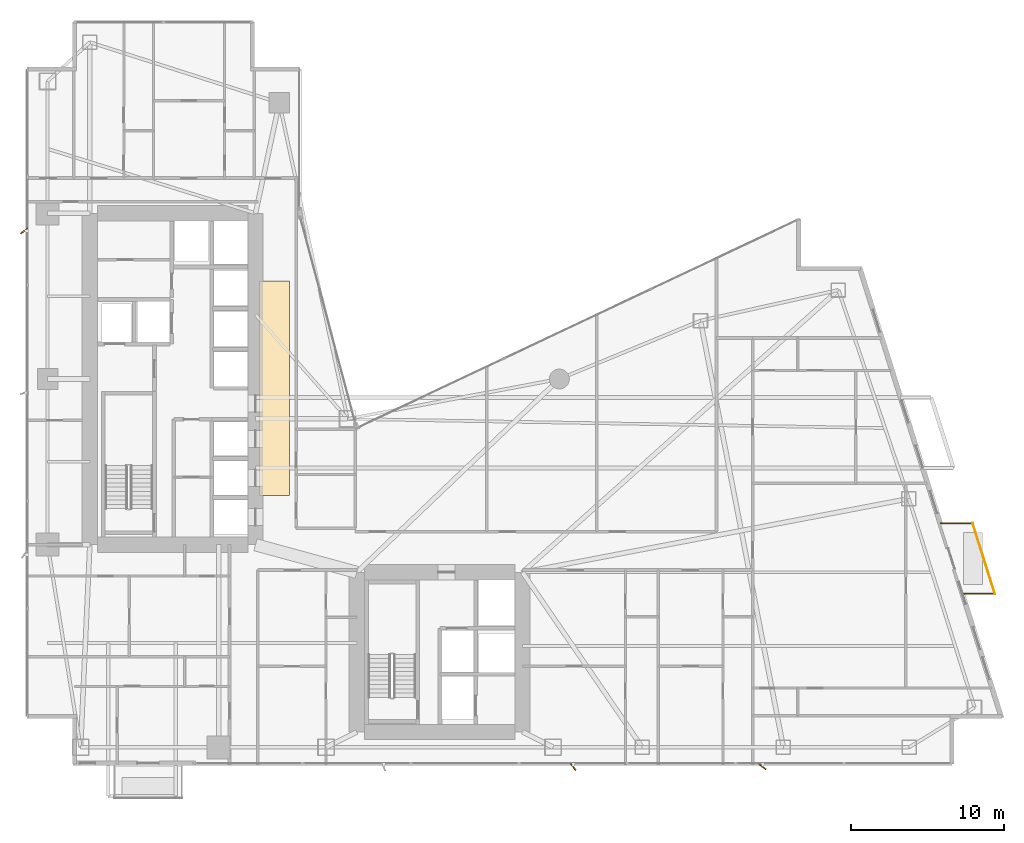
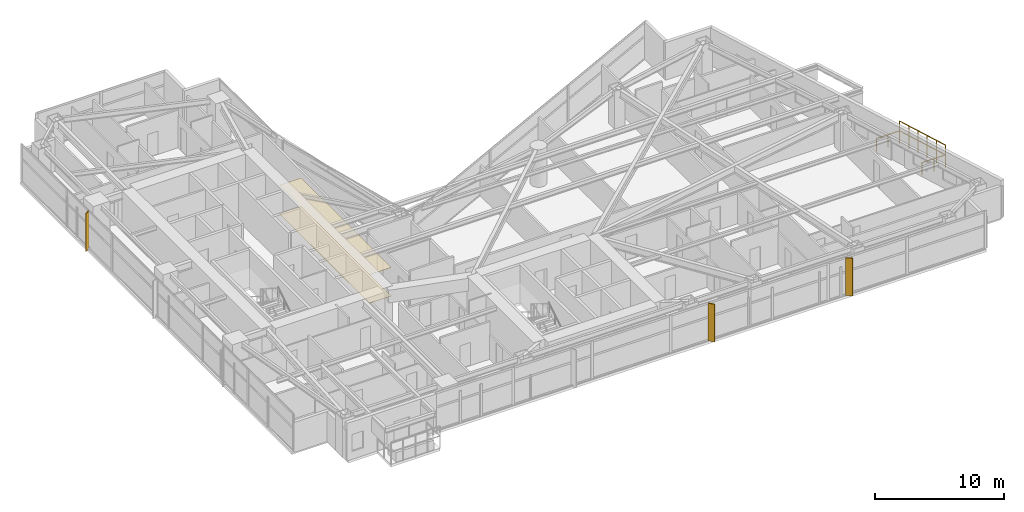
# One storey, part 29 of 29: 3 shading devices, 2 coverings, 2 railings.
"""IFC4 building model written with IfcOpenShell, lengths in metres."""

import ifcopenshell
import ifcopenshell.guid

model = None  # the IFC model being written
_history = None  # IfcOwnerHistory: only IFC2X3 demands one
_inside = {}  # id of a spatial element -> (the spatial element, [elements in it])
_under = {}  # id of a project, library or spatial element -> (it, [spatial elements below it])
_declared = {}  # id of a project -> (the project, [libraries it declares])
_typed = {}  # id of a type object -> (the type object, [elements of that type])
_made_of = {}  # id of a material, layer set ... -> (it, [elements and type objects made of it])


def new_model(schema):
    """Start an empty IFC model of exactly this schema.

    Asked for "IFC4X3", IfcOpenShell would pick the latest addendum, in which some entities
    have other attributes; the version numbers below select the first issue.
    IFC2X3 requires an IfcOwnerHistory on every rooted entity: one is made here for all.
    """
    global model, _history
    if schema == "IFC4X3":
        model = ifcopenshell.file(schema_version=(4, 3, 0, 0))
    else:
        model = ifcopenshell.file(schema=schema)
    _inside.clear()
    _under.clear()
    _declared.clear()
    _typed.clear()
    _made_of.clear()
    _history = None
    if model.schema == "IFC2X3":
        org = make("IfcOrganization", Name="unknown")
        user = make(
            "IfcPersonAndOrganization",
            ThePerson=make("IfcPerson", FamilyName="unknown"),
            TheOrganization=org,
        )
        app = make(
            "IfcApplication",
            ApplicationDeveloper=org,
            Version="unknown",
            ApplicationFullName="unknown",
            ApplicationIdentifier="unknown",
        )
        _history = make(
            "IfcOwnerHistory",
            OwningUser=user,
            OwningApplication=app,
            ChangeAction="ADDED",
            CreationDate=0,
        )
    return model


def make(cls, **values):
    """One entity of the class cls with the attributes given. An attribute that is None is left unset."""
    return model.create_entity(
        cls, **{name: value for name, value in values.items() if value is not None}
    )


def rooted(cls, **values):
    """An entity with a GlobalId (a new one), such as an element, a storey or a relation."""
    return make(cls, GlobalId=ifcopenshell.guid.new(), OwnerHistory=_history, **values)


def si_unit(unit_type, name, prefix=None):
    """IfcSIUnit, for example si_unit("LENGTHUNIT", "METRE", prefix="MILLI")."""
    return make("IfcSIUnit", UnitType=unit_type, Prefix=prefix, Name=name)


def assignment(units):
    """IfcUnitAssignment: the units of a project."""
    return None if units is None else make("IfcUnitAssignment", Units=units)


def point(xyz):
    """IfcCartesianPoint."""
    return None if xyz is None else make("IfcCartesianPoint", Coordinates=xyz)


def direction(xyz):
    """IfcDirection."""
    return None if xyz is None else make("IfcDirection", DirectionRatios=xyz)


def frame(location, z_axis=None, x_axis=None):
    """IfcAxis2Placement3D, a coordinate frame: its origin and axes. An axis left out is left unset."""
    return make(
        "IfcAxis2Placement3D",
        Location=point(location),
        Axis=direction(z_axis),
        RefDirection=direction(x_axis),
    )


def frame_2d(location, x_axis=None):
    """IfcAxis2Placement2D, a coordinate frame in the plane: its origin and x axis."""
    return make(
        "IfcAxis2Placement2D", Location=point(location), RefDirection=direction(x_axis)
    )


def origin():
    """The frame at (0, 0, 0) with its axes left unset."""
    return frame((0.0, 0.0, 0.0))


def origin_2d():
    """The frame at (0, 0) in the plane with its x axis left unset."""
    return frame_2d((0.0, 0.0))


def place(relative_to, where):
    """IfcLocalPlacement: puts the frame where relative to a parent placement (None: the world)."""
    return make(
        "IfcLocalPlacement", PlacementRelTo=relative_to, RelativePlacement=where
    )


def context(
    kind, dimensions, precision=None, world=None, true_north=None, identifier=None
):
    """IfcGeometricRepresentationContext, for example the 3D "Model" context."""
    return make(
        "IfcGeometricRepresentationContext",
        ContextIdentifier=identifier,
        ContextType=kind,
        CoordinateSpaceDimension=dimensions,
        Precision=precision,
        WorldCoordinateSystem=world,
        TrueNorth=true_north,
    )


def subcontext(parent, identifier, kind, view, scale=None):
    """IfcGeometricRepresentationSubContext, for example "Body" below "Model"."""
    return make(
        "IfcGeometricRepresentationSubContext",
        ContextIdentifier=identifier,
        ContextType=kind,
        ParentContext=parent,
        TargetScale=scale,
        TargetView=view,
    )


def project(units=None, contexts=None):
    """IfcProject with its units and contexts."""
    return rooted(
        "IfcProject",
        Name="project",
        RepresentationContexts=contexts,
        UnitsInContext=assignment(units),
    )


def spatial(cls, under=None, at=None, **own):
    """A site, building, storey or space (cls), placed at a placement, below another one or the project."""
    s = rooted(cls, ObjectPlacement=at, **own)
    if under is not None:
        _under.setdefault(under.id(), (under, []))[1].append(s)
    return s


def profile(cls, at=None, kind="AREA", **sizes):
    """A parametric profile (cls). Its sizes go by their IFC names, for example OverallWidth=200.0."""
    return make(cls, ProfileType=kind, Position=at, **sizes)


def rectangle(**sizes):
    """IfcRectangleProfileDef."""
    return profile("IfcRectangleProfileDef", **sizes)


def circle(**sizes):
    """IfcCircleProfileDef."""
    return profile("IfcCircleProfileDef", **sizes)


def extrude(swept, where, along, depth):
    """IfcExtrudedAreaSolid: the profile swept, set in the frame where, extruded along a direction by depth."""
    return make(
        "IfcExtrudedAreaSolid",
        SweptArea=swept,
        Position=where,
        ExtrudedDirection=direction(along),
        Depth=depth,
    )


def shape(context_of_items, identifier, shape_type, items):
    """IfcShapeRepresentation: the items that make up one representation, for example the "Body"."""
    return make(
        "IfcShapeRepresentation",
        ContextOfItems=context_of_items,
        RepresentationIdentifier=identifier,
        RepresentationType=shape_type,
        Items=items,
    )


def material(Name=None, Category=None):
    """IfcMaterial."""
    return make("IfcMaterial", Name=Name, Category=Category)


def layer(
    of_material, thickness, ventilated=None, Name=None, Category=None, Priority=None
):
    """IfcMaterialLayer: one layer of a wall or slab, of a material (None: an air gap)."""
    return make(
        "IfcMaterialLayer",
        Material=of_material,
        LayerThickness=thickness,
        IsVentilated=ventilated,
        Name=Name,
        Category=Category,
        Priority=Priority,
    )


def layer_set(layers, Name=None):
    """IfcMaterialLayerSet."""
    return make("IfcMaterialLayerSet", MaterialLayers=layers, LayerSetName=Name)


def made_of(thing, what):
    """Note that an element or type object is made of a material, layer set ...; save() writes the relation."""
    if what is not None:
        _made_of.setdefault(what.id(), (what, []))[1].append(thing)
    return thing


def type_object(cls, material=None, **own):
    """A type object (cls), such as IfcWallType, which elements share."""
    return made_of(rooted(cls, **own), material)


def element(
    cls,
    number,
    at=None,
    inside=None,
    cuts=None,
    type_object=None,
    material=None,
    context=None,
    identifier="Body",
    shape_type=None,
    held_by="IfcProductDefinitionShape",
    body=None,
    shapes=None,
    **own,
):
    """One element of the class cls, such as IfcWall. Its Tag is "e" and its number.

    at: its placement. inside: the storey or other place that contains it. cuts: it is an
    opening in that element (IfcRelVoidsElement). A single representation is given by context,
    identifier, shape_type and body (its items); several are given by shapes. held_by: the class
    of the entity that holds the representations. save() writes the other relations.
    """
    e = rooted(cls, Tag="e%d" % number, ObjectPlacement=at, **own)
    if body is not None:
        shapes = [shape(context, identifier, shape_type, body)]
    if shapes is not None:
        e.Representation = make(held_by, Representations=shapes)
    if inside is not None:
        _inside.setdefault(inside.id(), (inside, []))[1].append(e)
    if cuts is not None:
        rooted(
            "IfcRelVoidsElement", RelatingBuildingElement=cuts, RelatedOpeningElement=e
        )
    if type_object is not None:
        _typed.setdefault(type_object.id(), (type_object, []))[1].append(e)
    return made_of(e, material)


def aggregate(whole, parts):
    """IfcRelAggregates: a whole, such as a stair, and the parts it consists of."""
    return rooted("IfcRelAggregates", RelatingObject=whole, RelatedObjects=parts)


def save(model, path):
    """Write the relations noted so far, then the file.

    IfcRelAggregates (storeys below a building ...), IfcRelContainedInSpatialStructure (elements
    in a storey), IfcRelDefinesByType, IfcRelAssociatesMaterial and IfcRelDeclares: one each for
    every whole, place, type object, material and project.
    """
    for whole, parts in _under.values():
        aggregate(whole, parts)
    for where, things in _inside.values():
        rooted(
            "IfcRelContainedInSpatialStructure",
            RelatedElements=things,
            RelatingStructure=where,
        )
    for kind, things in _typed.values():
        rooted("IfcRelDefinesByType", RelatedObjects=things, RelatingType=kind)
    for what, things in _made_of.values():
        rooted("IfcRelAssociatesMaterial", RelatedObjects=things, RelatingMaterial=what)
    for by, libraries in _declared.values():
        rooted("IfcRelDeclares", RelatingContext=by, RelatedDefinitions=libraries)
    model.write(path)


model = new_model("IFC4")

# Units and contexts
model_context = context("Model", 3, precision=1e-05, world=origin(), true_north=direction((0.0, 1.0)))
body_context = subcontext(model_context, "Body", "Model", "MODEL_VIEW")
ifc_project = project(units=[si_unit("LENGTHUNIT", "METRE"), si_unit("AREAUNIT", "SQUARE_METRE"), si_unit("VOLUMEUNIT", "CUBIC_METRE"), si_unit("PLANEANGLEUNIT", "RADIAN"), si_unit("MASSUNIT", "GRAM", prefix="KILO")], contexts=[model_context])

# Site, building, storey
site_placement = place(None, origin())
site = spatial("IfcSite", under=ifc_project, at=site_placement, CompositionType="ELEMENT")
building_placement = place(site_placement, origin())
building = spatial("IfcBuilding", under=site, at=building_placement, Name="Calvorn Quay Hotel", CompositionType="ELEMENT")
storey_placement = place(building_placement, frame((0.0, 0.0, 38.39990234375)))
storey = spatial("IfcBuildingStorey", under=building, at=storey_placement, Name="L08", CompositionType="ELEMENT", Elevation=38.39990234375)

# Coverings
ifc_material_1 = material(Name="Mineral-Fibre Acoustic Ceiling Tile")
ifc_layer_1 = layer(ifc_material_1, 0.02001953125)
ifc_layer_set_1 = layer_set([ifc_layer_1], Name="COV-CEILING-ACOUSTIC")
covering_type_1 = type_object("IfcCoveringType", Name="COV-CEILING-ACOUSTIC", PredefinedType="CEILING", material=ifc_layer_set_1)
covering_1_placement = place(storey_placement, frame((16.25, 27.0, 2.7001953125), z_axis=(0.0, 0.0, 1.0), x_axis=(1.0, 0.0, 0.0)))
element("IfcCovering", 1, at=covering_1_placement, inside=storey, type_object=covering_type_1, Name="Acoustic Suspended Ceiling (L08)", PredefinedType="CEILING", context=body_context, shape_type="SweptSolid", body=[
    extrude(rectangle(XDim=1.9599609375, YDim=14.0, at=origin_2d()), origin(), (0.0, 0.0, 1.0), 0.02001953125),
])
ifc_material_2 = material(Name="Woven Wool Hospitality Carpet")
ifc_layer_2 = layer(ifc_material_2, 0.02392578125)
ifc_layer_set_2 = layer_set([ifc_layer_2], Name="COV-FLOOR-CARPET")
covering_type_2 = type_object("IfcCoveringType", Name="COV-FLOOR-CARPET", PredefinedType="FLOORING", material=ifc_layer_set_2)
covering_2_placement = place(storey_placement, frame((16.25, 27.0, 0.000244140625), z_axis=(0.0, 0.0, 1.0), x_axis=(1.0, 0.0, 0.0)))
element("IfcCovering", 2, at=covering_2_placement, inside=storey, type_object=covering_type_2, Name="Interior Floor Finish (L08)", PredefinedType="FLOORING", context=body_context, shape_type="SweptSolid", body=[
    extrude(rectangle(XDim=1.9599609375, YDim=14.0, at=origin_2d()), origin(), (0.0, 0.0, 1.0), 0.02392578125),
])

# Railings
ifc_material_3 = material(Name="Pale Anodised Aluminium and Laminated Glass", Category="aluminium")
railing_type = type_object("IfcRailingType", Name="RLG-BALUSTRADE-1200", PredefinedType="BALUSTRADE", material=ifc_material_3)
railing_1_placement = place(storey_placement, frame((61.089111328125, 13.60009765625, 0.0)))
element("IfcRailing", 3, at=railing_1_placement, inside=storey, type_object=railing_type, Name="Tree Balcony Perimeter Balustrade L08-BALC-E", PredefinedType="BALUSTRADE", context=body_context, shape_type="SweptSolid", body=[
    extrude(circle(Radius=0.02392578125, at=origin_2d()), frame((0.0, 0.0, 1.17578125), z_axis=(1.0, 0.0, 0.0), x_axis=(0.0, 1.0, 0.0)), (0.0, 0.0, 1.0), 2.099853515625),
    extrude(circle(Radius=0.02392578125, at=origin_2d()), frame((2.099853515625, 0.0, 1.17578125), z_axis=(-0.300450487966, 0.953797412599, 0.0), x_axis=(-0.953797412599, -0.300450487966, 0.0)), (0.0, 0.0, 1.0), 4.82275390625),
    extrude(circle(Radius=0.02392578125, at=origin_2d()), frame((0.65087890625, 4.599853515625, 1.17578125), z_axis=(-1.0, 0.0, 0.0), x_axis=(0.0, -1.0, 0.0)), (0.0, 0.0, 1.0), 2.10009765625),
    extrude(circle(Radius=0.02099609375, at=origin_2d()), origin(), (0.0, 0.0, 1.0), 1.15185546875),
    extrude(circle(Radius=0.02099609375, at=origin_2d()), frame((1.0498046875, 0.0, 0.0)), (0.0, 0.0, 1.0), 1.15185546875),
    extrude(circle(Radius=0.02099609375, at=origin_2d()), frame((2.099853515625, 0.0, 0.0)), (0.0, 0.0, 1.0), 1.15185546875),
    extrude(circle(Radius=0.02099609375, at=origin_2d()), frame((1.81005859375, 0.919921875, 0.0)), (0.0, 0.0, 1.0), 1.15185546875),
    extrude(circle(Radius=0.02099609375, at=origin_2d()), frame((1.520263671875, 1.83984375, 0.0)), (0.0, 0.0, 1.0), 1.15185546875),
    extrude(circle(Radius=0.02099609375, at=origin_2d()), frame((1.23046875, 2.760009765625, 0.0)), (0.0, 0.0, 1.0), 1.15185546875),
    extrude(circle(Radius=0.02099609375, at=origin_2d()), frame((0.940673828125, 3.679931640625, 0.0)), (0.0, 0.0, 1.0), 1.15185546875),
    extrude(circle(Radius=0.02099609375, at=origin_2d()), frame((0.65087890625, 4.599853515625, 0.0)), (0.0, 0.0, 1.0), 1.15185546875),
    extrude(circle(Radius=0.02099609375, at=origin_2d()), frame((-0.399169921875, 4.599853515625, 0.0)), (0.0, 0.0, 1.0), 1.15185546875),
    extrude(circle(Radius=0.02099609375, at=origin_2d()), frame((-1.44921875, 4.599853515625, 0.0)), (0.0, 0.0, 1.0), 1.15185546875),
])
railing_2_placement = place(storey_placement, frame((63.18896484375, 13.60009765625, 0.900146484375)))
element("IfcRailing", 4, at=railing_2_placement, inside=storey, type_object=railing_type, Name="Planter Kerb High Safety Screen L08-BALC-E", PredefinedType="BALUSTRADE", context=body_context, shape_type="SweptSolid", body=[
    extrude(circle(Radius=0.02392578125, at=origin_2d()), frame((0.0, 0.0, 1.19580078125), z_axis=(-0.300450487966, 0.953797412599, 0.0), x_axis=(-0.953797412599, -0.300450487966, 0.0)), (0.0, 0.0, 1.0), 4.82275390625),
    extrude(circle(Radius=0.02099609375, at=origin_2d()), origin(), (0.0, 0.0, 1.0), 1.171875),
    extrude(circle(Radius=0.02099609375, at=origin_2d()), frame((-0.289794921875, 0.919921875, 0.0)), (0.0, 0.0, 1.0), 1.171875),
    extrude(circle(Radius=0.02099609375, at=origin_2d()), frame((-0.57958984375, 1.83984375, 0.0)), (0.0, 0.0, 1.0), 1.171875),
    extrude(circle(Radius=0.02099609375, at=origin_2d()), frame((-0.869384765625, 2.760009765625, 0.0)), (0.0, 0.0, 1.0), 1.171875),
    extrude(circle(Radius=0.02099609375, at=origin_2d()), frame((-1.1591796875, 3.679931640625, 0.0)), (0.0, 0.0, 1.0), 1.171875),
    extrude(circle(Radius=0.02099609375, at=origin_2d()), frame((-1.448974609375, 4.599853515625, 0.0)), (0.0, 0.0, 1.0), 1.171875),
])

# Shading devices
ifc_material_4 = material(Name="Champagne Bronze Anodised Aluminium 6063-T6", Category="aluminium")
shading_device_type_1 = type_object("IfcShadingDeviceType", Name="SHD-FIN-A2", PredefinedType="USERDEFINED", material=ifc_material_4)
for number, where, z_axis, x_axis, name in (
    (5, (-0.080078125, 37.25, 0.0), (0.0, 0.0, 1.0), (0.788010753607, 0.615661475326, 0.0), "Diagonal Sun-Shading Fin L08-W03"),
    (6, (35.699951171875, 2.320068359375, 0.0), (0.0, 0.0, 1.0), (-0.615661475326, 0.788010753607, 0.0), "Diagonal Sun-Shading Fin L08-S02"),
):
    element("IfcShadingDevice", number, at=place(storey_placement, frame(where, z_axis=z_axis, x_axis=x_axis)), inside=storey, type_object=shading_device_type_1, Name=name, ObjectType="FIN", PredefinedType="USERDEFINED", context=body_context, shape_type="SweptSolid", body=[
        extrude(rectangle(XDim=0.550048828125, YDim=0.080078125, at=origin_2d()), origin(), (0.0, 0.0, 1.0), 3.56005859375),
    ])
ifc_material_5 = material(Name="Champagne Bronze Anodised Aluminium 6063-T6", Category="aluminium")
shading_device_type_2 = type_object("IfcShadingDeviceType", Name="SHD-FIN-A3", PredefinedType="USERDEFINED", material=ifc_material_5)
shading_device_placement = place(storey_placement, frame((48.050048828125, 2.320068359375, 0.0), z_axis=(0.0, 0.0, 1.0), x_axis=(-0.809016994375, 0.587785252292, 0.0)))
element("IfcShadingDevice", 7, at=shading_device_placement, inside=storey, type_object=shading_device_type_2, Name="Diagonal Sun-Shading Fin L08-S03", ObjectType="FIN", PredefinedType="USERDEFINED", context=body_context, shape_type="SweptSolid", body=[
    extrude(rectangle(XDim=0.550048828125, YDim=0.080078125, at=origin_2d()), origin(), (0.0, 0.0, 1.0), 3.56005859375),
])

save(model, "model.ifc")
